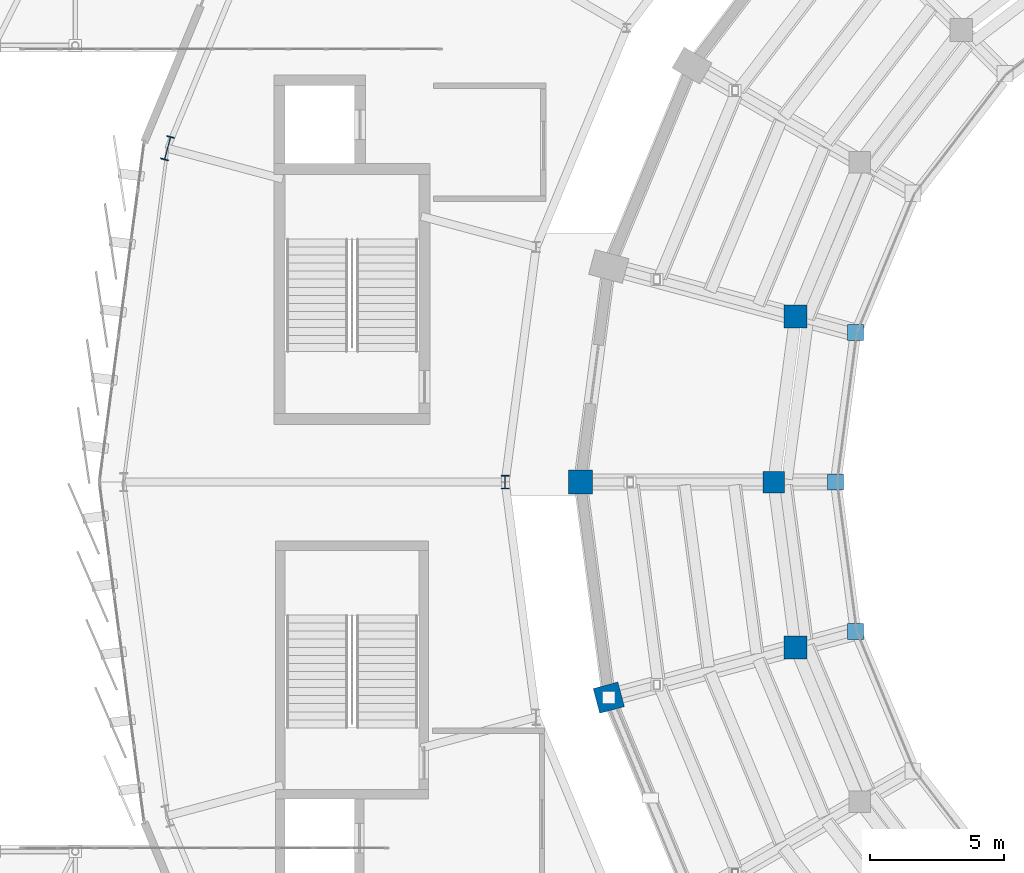
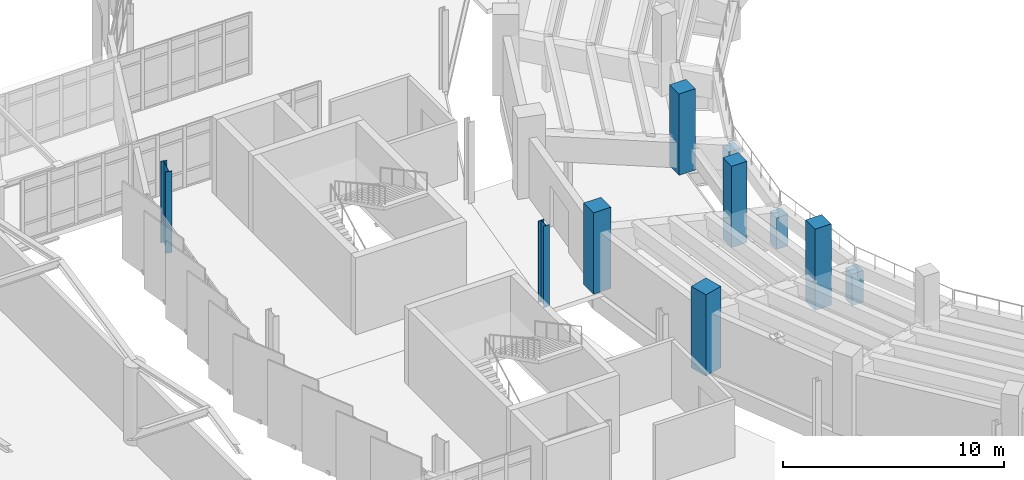
# One storey, part 11 of 120: 10 columns.
"""IFC4 building model written with IfcOpenShell, lengths in metres."""

from ifc_helpers import new_model, si_unit, direction, frame, origin, origin_2d, place, context, subcontext, project, spatial, rectangle, i_section, extrude, material, material_profile, profile_set, type_object, element, save


model = new_model("IFC4")

# Units and contexts
model_context = context("Model", 3, precision=1e-05, world=origin(), true_north=direction((0.0, 1.0)))
body_context = subcontext(model_context, "Body", "Model", "MODEL_VIEW")
ifc_project = project(units=[si_unit("LENGTHUNIT", "METRE"), si_unit("AREAUNIT", "SQUARE_METRE"), si_unit("VOLUMEUNIT", "CUBIC_METRE"), si_unit("PLANEANGLEUNIT", "RADIAN"), si_unit("MASSUNIT", "GRAM", prefix="KILO")], contexts=[model_context])

# Site, building, storey
site_placement = place(None, origin())
site = spatial("IfcSite", under=ifc_project, at=site_placement, CompositionType="ELEMENT")
building_placement = place(site_placement, origin())
building = spatial("IfcBuilding", under=site, at=building_placement, Name="Sohan Crest Arena", CompositionType="ELEMENT")
storey_placement = place(building_placement, frame((0.0, 0.0, 13.5)))
storey = spatial("IfcBuildingStorey", under=building, at=storey_placement, Name="L03", CompositionType="ELEMENT", Elevation=13.5)

# Columns
ifc_material_1 = material(Name="Concrete C40/50", Category="concrete")
ifc_material_profile_1 = material_profile(ifc_material_1, rectangle(XDim=0.60009765625, YDim=0.60009765625, at=origin_2d()), Name="RC 600x600")
ifc_profile_set_1 = profile_set([ifc_material_profile_1], Name="Concrete C40/50")
column_type_1 = type_object("IfcColumnType", Name="STR-COL-C01", PredefinedType="COLUMN", material=ifc_profile_set_1)
for number, where, z_axis, x_axis, name in (
    (1, (77.23291015625, 83.56494140625, -1.0), (0.0, 0.0, 1.0), (1.0, 0.0, 0.0), "Upper tier nose support column RKP-N06"),
    (2, (76.5, 78.0, -1.0), (0.0, 0.0, 1.0), (1.0, 0.0, 0.0), "Upper tier nose support column RKP-N07"),
    (3, (77.23291015625, 72.43505859375, -1.0), (0.0, 0.0, 1.0), (1.0, 0.0, 0.0), "Upper tier nose support column RKP-N08"),
):
    element("IfcColumn", number, at=place(storey_placement, frame(where, z_axis=z_axis, x_axis=x_axis)), inside=storey, type_object=column_type_1, Name=name, PredefinedType="COLUMN", context=body_context, shape_type="SweptSolid", body=[
        extrude(rectangle(XDim=0.60009765625, YDim=0.60009765625, at=origin_2d()), origin(), (0.0, 0.0, 1.0), 1.75),
    ])
ifc_material_profile_2 = material_profile(ifc_material_1, rectangle(XDim=0.800048828125, YDim=0.800048828125, at=origin_2d()), Name="RC 800x800")
ifc_profile_set_2 = profile_set([ifc_material_profile_2], Name="Concrete C40/50")
column_type_2 = type_object("IfcColumnType", Name="STR-COL-C05", PredefinedType="COLUMN", material=ifc_profile_set_2)
column_1_placement = place(storey_placement, frame((74.199951171875, 78.0, 0.0), z_axis=(0.0, 0.0, 1.0), x_axis=(1.0, 0.0, 0.0)))
element("IfcColumn", 4, at=column_1_placement, inside=storey, type_object=column_type_2, Name="Structural column COL-V1M-07-L03", PredefinedType="COLUMN", context=body_context, shape_type="SweptSolid", body=[
    extrude(rectangle(XDim=0.800048828125, YDim=0.800048828125, at=origin_2d()), origin(), (0.0, 0.0, 1.0), 4.5),
])
ifc_material_profile_3 = material_profile(ifc_material_1, rectangle(XDim=0.85009765625, YDim=0.85009765625, at=origin_2d()), Name="RC 850x850")
ifc_profile_set_3 = profile_set([ifc_material_profile_3], Name="Concrete C40/50")
column_type_3 = type_object("IfcColumnType", Name="STR-COL-C06", PredefinedType="COLUMN", material=ifc_profile_set_3)
for number, where, z_axis, x_axis, name in (
    (5, (75.010986328125, 84.159912109375, 0.0), (0.0, 0.0, 1.0), (1.0, 0.0, 0.0), "Structural column COL-V1M-06-L03"),
    (6, (75.010986328125, 71.840087890625, 0.0), (0.0, 0.0, 1.0), (1.0, 0.0, 0.0), "Structural column COL-V1M-08-L03"),
):
    element("IfcColumn", number, at=place(storey_placement, frame(where, z_axis=z_axis, x_axis=x_axis)), inside=storey, type_object=column_type_3, Name=name, PredefinedType="COLUMN", context=body_context, shape_type="SweptSolid", body=[
        extrude(rectangle(XDim=0.85009765625, YDim=0.85009765625, at=origin_2d()), origin(), (0.0, 0.0, 1.0), 4.5),
    ])
ifc_material_profile_4 = material_profile(ifc_material_1, rectangle(XDim=0.89990234375, YDim=0.89990234375, at=origin_2d()), Name="RC 900x900")
ifc_profile_set_4 = profile_set([ifc_material_profile_4], Name="Concrete C40/50")
column_type_4 = type_object("IfcColumnType", Name="STR-COL-C07", PredefinedType="COLUMN", material=ifc_profile_set_4)
column_2_placement = place(storey_placement, frame((67.0, 78.0, 0.0), z_axis=(0.0, 0.0, 1.0), x_axis=(1.0, 0.0, 0.0)))
element("IfcColumn", 7, at=column_2_placement, inside=storey, type_object=column_type_4, Name="Structural column COL-V1R-07-L03", PredefinedType="COLUMN", context=body_context, shape_type="SweptSolid", body=[
    extrude(rectangle(XDim=0.89990234375, YDim=0.89990234375, at=origin_2d()), origin(), (0.0, 0.0, 1.0), 4.5),
])
ifc_material_profile_5 = material_profile(ifc_material_1, rectangle(XDim=0.949951171875, YDim=0.949951171875, at=origin_2d()), Name="RC 950x950")
ifc_profile_set_5 = profile_set([ifc_material_profile_5], Name="Concrete C40/50")
column_type_5 = type_object("IfcColumnType", Name="STR-COL-C08", PredefinedType="COLUMN", material=ifc_profile_set_5)
column_3_placement = place(storey_placement, frame((68.055908203125, 69.97705078125, 0.0), z_axis=(0.0, 0.0, 1.0), x_axis=(0.965925826289, 0.258819045103, 0.0)))
element("IfcColumn", 8, at=column_3_placement, inside=storey, type_object=column_type_5, Name="Structural column COL-V1R-08-L03", PredefinedType="COLUMN", context=body_context, shape_type="SweptSolid", body=[
    extrude(rectangle(XDim=0.949951171875, YDim=0.949951171875, at=origin_2d()), origin(), (0.0, 0.0, 1.0), 4.5),
])
ifc_material_2 = material(Name="Steel S355", Category="steel")
ifc_material_profile_6 = material_profile(ifc_material_2, i_section(OverallWidth=0.300048828125, OverallDepth=0.5, WebThickness=0.014404296875, FlangeThickness=0.028076171875, at=origin_2d()), Name="HEB 500")
ifc_profile_set_6 = profile_set([ifc_material_profile_6], Name="Steel S355")
column_type_6 = type_object("IfcColumnType", Name="STR-COL-C19", PredefinedType="COLUMN", material=ifc_profile_set_6)
column_4_placement = place(storey_placement, frame((64.199951171875, 78.0, 0.0), z_axis=(0.0, 0.0, 1.0), x_axis=(1.0, 0.0, 0.0)))
element("IfcColumn", 9, at=column_4_placement, inside=storey, type_object=column_type_6, Name="Structural column COL-V2I-07-L03", PredefinedType="COLUMN", context=body_context, shape_type="SweptSolid", body=[
    extrude(i_section(OverallWidth=0.300048828125, OverallDepth=0.5, WebThickness=0.014404296875, FlangeThickness=0.028076171875, at=origin_2d()), origin(), (0.0, 0.0, 1.0), 4.5),
])
ifc_material_profile_7 = material_profile(ifc_material_2, i_section(OverallWidth=0.300048828125, OverallDepth=0.89990234375, WebThickness=0.0185546875, FlangeThickness=0.034912109375, at=origin_2d()), Name="HEB 900")
ifc_profile_set_7 = profile_set([ifc_material_profile_7], Name="Steel S355")
column_type_7 = type_object("IfcColumnType", Name="STR-COL-C23", PredefinedType="COLUMN", material=ifc_profile_set_7)
column_5_placement = place(storey_placement, frame((51.635986328125, 90.423095703125, 0.0), z_axis=(0.0, 0.0, 1.0), x_axis=(-0.965925826289, 0.258819045103, 0.0)))
element("IfcColumn", 10, at=column_5_placement, inside=storey, type_object=column_type_7, Name="Structural column COL-V2O-06-L03", PredefinedType="COLUMN", context=body_context, shape_type="SweptSolid", body=[
    extrude(i_section(OverallWidth=0.300048828125, OverallDepth=0.89990234375, WebThickness=0.0185546875, FlangeThickness=0.034912109375, at=origin_2d()), origin(), (0.0, 0.0, 1.0), 4.5),
])

save(model, "model.ifc")
